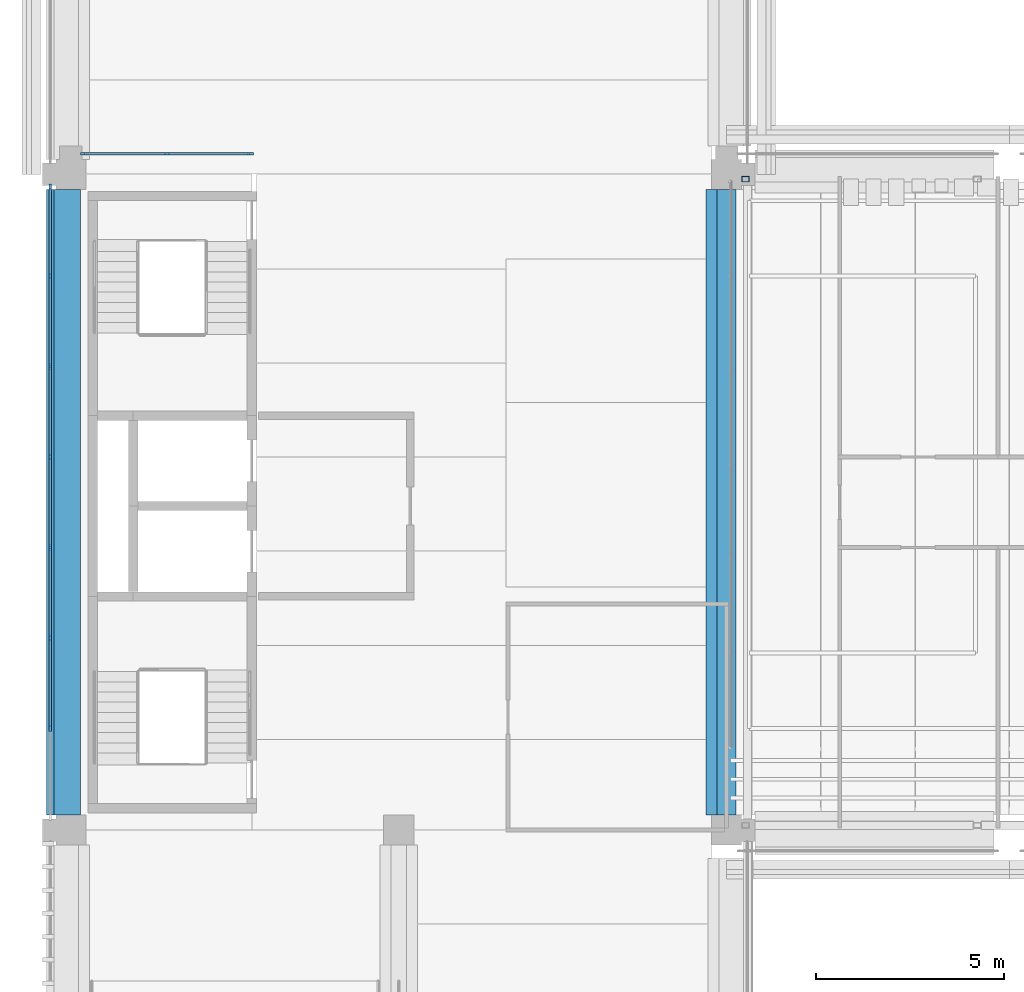
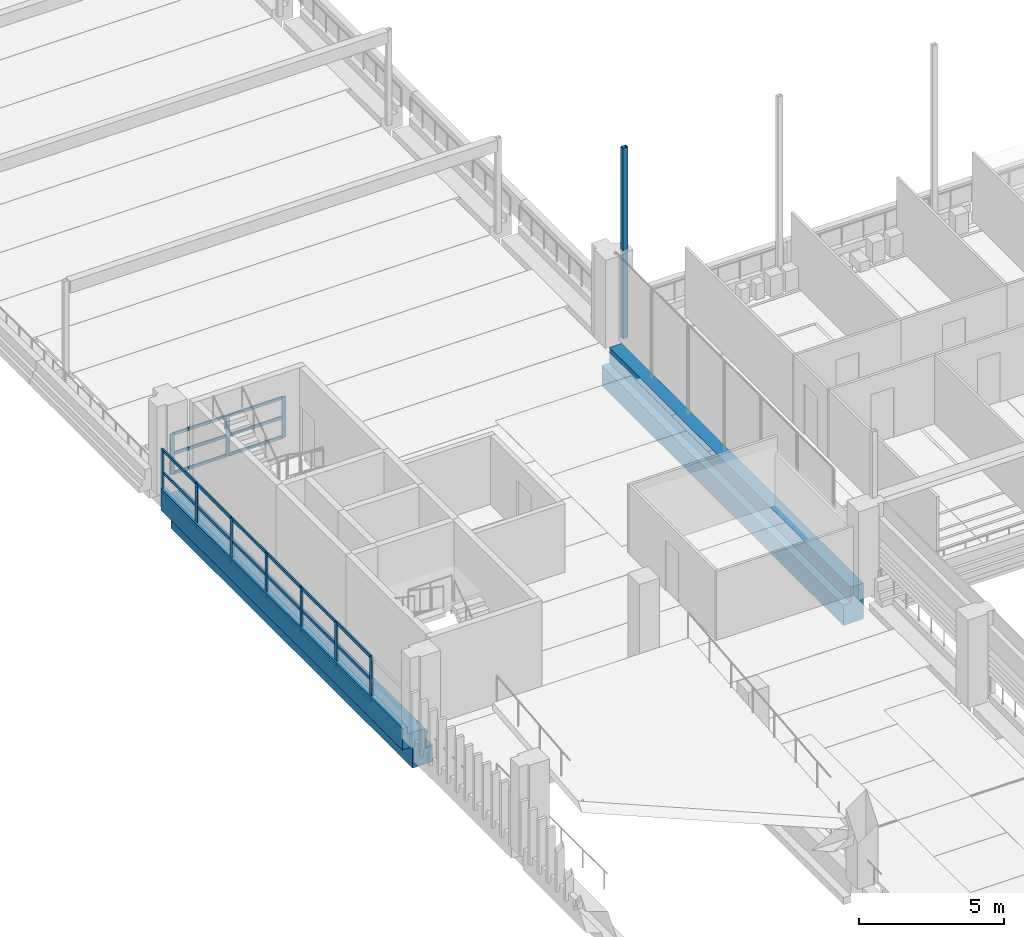
# One storey, part 5 of 62: 35 members, 2 beams, 2 elements without a shape of their own.
"""IFC4 building model written with IfcOpenShell, lengths in metres."""

from ifc_helpers import new_model, si_unit, direction, frame, origin, origin_2d, place, context, subcontext, project, spatial, polyline, rectangle, hollow_rectangle, outline, extrude, material, layer, layer_set, material_profile, profile_set, type_object, element, aggregate, save


model = new_model("IFC4")

# Units and contexts
model_context = context("Model", 3, precision=1e-05, world=origin(), true_north=direction((0.0, 1.0)))
body_context = subcontext(model_context, "Body", "Model", "MODEL_VIEW")
ifc_project = project(units=[si_unit("LENGTHUNIT", "METRE"), si_unit("AREAUNIT", "SQUARE_METRE"), si_unit("VOLUMEUNIT", "CUBIC_METRE"), si_unit("PLANEANGLEUNIT", "RADIAN"), si_unit("MASSUNIT", "GRAM", prefix="KILO")], contexts=[model_context])

# Site, building, storey
site_placement = place(None, origin())
site = spatial("IfcSite", under=ifc_project, at=site_placement, CompositionType="ELEMENT")
building_placement = place(site_placement, origin())
building = spatial("IfcBuilding", under=site, at=building_placement, Name="Cour d'Honneur Mobility Palace", CompositionType="ELEMENT")
storey_placement = place(building_placement, frame((0.0, 0.0, 19.300048828125)))
storey = spatial("IfcBuildingStorey", under=building, at=storey_placement, Name="L05", CompositionType="ELEMENT", Elevation=19.300048828125)

# Curtain wall, members
ifc_material_1 = material(Name="Aluminium and glass", Category="aluminium")
ifc_layer = layer(ifc_material_1, 0.10009765625)
ifc_layer_set = layer_set([ifc_layer], Name="Aluminium and glass")
curtain_wall_type = type_object("IfcCurtainWallType", Name="Curtain wall run", PredefinedType="NOTDEFINED", material=ifc_layer_set)
curtain_wall_1_placement = place(storey_placement, origin())
curtain_wall_1 = element("IfcCurtainWall", 1, at=curtain_wall_1_placement, inside=storey, type_object=curtain_wall_type, Name="Curtain wall CW-104", PredefinedType="NOTDEFINED")
ifc_material_2 = material(Name="Aluminium", Category="aluminium")
ifc_material_profile_1 = material_profile(ifc_material_2, rectangle(XDim=0.06005859375, YDim=0.159912109375, at=origin_2d()), Name="Curtain wall mullion")
ifc_profile_set_1 = profile_set([ifc_material_profile_1], Name="Aluminium")
member_type_1 = type_object("IfcMemberType", Name="Curtain wall mullion", PredefinedType="MULLION", material=ifc_profile_set_1)
member_1_placement = place(storey_placement, frame((4.77001953125, 62.949951171875, 0.0), z_axis=(0.0, 0.0, 1.0), x_axis=(0.0, -1.0, 0.0)))
member_1 = element("IfcMember", 2, at=member_1_placement, type_object=member_type_1, Name="CW-104 mullion 1", PredefinedType="MULLION", context=body_context, shape_type="SweptSolid", body=[
    extrude(rectangle(XDim=0.06005859375, YDim=0.159912109375, at=origin_2d()), origin(), (0.0, 0.0, 1.0), 1.699951171875),
])
member_2_placement = place(storey_placement, frame((2.550048828125, 62.949951171875, 0.0), z_axis=(0.0, 0.0, 1.0), x_axis=(0.0, -1.0, 0.0)))
member_2 = element("IfcMember", 3, at=member_2_placement, type_object=member_type_1, Name="CW-104 mullion 2", PredefinedType="MULLION", context=body_context, shape_type="SweptSolid", body=[
    extrude(rectangle(XDim=0.06005859375, YDim=0.159912109375, at=origin_2d()), origin(), (0.0, 0.0, 1.0), 1.699951171875),
])
member_3_placement = place(storey_placement, frame((0.330078125, 62.949951171875, 0.0), z_axis=(0.0, 0.0, 1.0), x_axis=(0.0, -1.0, 0.0)))
member_3 = element("IfcMember", 4, at=member_3_placement, type_object=member_type_1, Name="CW-104 mullion 3", PredefinedType="MULLION", context=body_context, shape_type="SweptSolid", body=[
    extrude(rectangle(XDim=0.06005859375, YDim=0.159912109375, at=origin_2d()), origin(), (0.0, 0.0, 1.0), 1.699951171875),
])

curtain_wall_2_placement = place(storey_placement, origin())
curtain_wall_2 = element("IfcCurtainWall", 5, at=curtain_wall_2_placement, inside=storey, type_object=curtain_wall_type, Name="Curtain wall CW-105", PredefinedType="NOTDEFINED")
member_4_placement = place(storey_placement, frame((-0.550048828125, 62.070068359375, 0.0), z_axis=(0.0, 0.0, 1.0), x_axis=(1.0, 0.0, 0.0)))
member_4 = element("IfcMember", 6, at=member_4_placement, type_object=member_type_1, Name="CW-105 mullion 1", PredefinedType="MULLION", context=body_context, shape_type="SweptSolid", body=[
    extrude(rectangle(XDim=0.06005859375, YDim=0.159912109375, at=origin_2d()), origin(), (0.0, 0.0, 1.0), 1.89990234375),
])
member_5_placement = place(storey_placement, frame((-0.550048828125, 59.699951171875, 0.0), z_axis=(0.0, 0.0, 1.0), x_axis=(1.0, 0.0, 0.0)))
member_5 = element("IfcMember", 7, at=member_5_placement, type_object=member_type_1, Name="CW-105 mullion 2", PredefinedType="MULLION", context=body_context, shape_type="SweptSolid", body=[
    extrude(rectangle(XDim=0.06005859375, YDim=0.159912109375, at=origin_2d()), origin(), (0.0, 0.0, 1.0), 1.89990234375),
])
member_6_placement = place(storey_placement, frame((-0.550048828125, 57.300048828125, 0.0), z_axis=(0.0, 0.0, 1.0), x_axis=(1.0, 0.0, 0.0)))
member_6 = element("IfcMember", 8, at=member_6_placement, type_object=member_type_1, Name="CW-105 mullion 3", PredefinedType="MULLION", context=body_context, shape_type="SweptSolid", body=[
    extrude(rectangle(XDim=0.06005859375, YDim=0.159912109375, at=origin_2d()), origin(), (0.0, 0.0, 1.0), 1.89990234375),
])
member_7_placement = place(storey_placement, frame((-0.550048828125, 54.89990234375, 0.0), z_axis=(0.0, 0.0, 1.0), x_axis=(1.0, 0.0, 0.0)))
member_7 = element("IfcMember", 9, at=member_7_placement, type_object=member_type_1, Name="CW-105 mullion 4", PredefinedType="MULLION", context=body_context, shape_type="SweptSolid", body=[
    extrude(rectangle(XDim=0.06005859375, YDim=0.159912109375, at=origin_2d()), origin(), (0.0, 0.0, 1.0), 1.89990234375),
])
member_8_placement = place(storey_placement, frame((-0.550048828125, 52.5, 0.0), z_axis=(0.0, 0.0, 1.0), x_axis=(1.0, 0.0, 0.0)))
member_8 = element("IfcMember", 10, at=member_8_placement, type_object=member_type_1, Name="CW-105 mullion 5", PredefinedType="MULLION", context=body_context, shape_type="SweptSolid", body=[
    extrude(rectangle(XDim=0.06005859375, YDim=0.159912109375, at=origin_2d()), origin(), (0.0, 0.0, 1.0), 1.89990234375),
])
member_9_placement = place(storey_placement, frame((-0.550048828125, 50.10009765625, 0.0), z_axis=(0.0, 0.0, 1.0), x_axis=(1.0, 0.0, 0.0)))
member_9 = element("IfcMember", 11, at=member_9_placement, type_object=member_type_1, Name="CW-105 mullion 6", PredefinedType="MULLION", context=body_context, shape_type="SweptSolid", body=[
    extrude(rectangle(XDim=0.06005859375, YDim=0.159912109375, at=origin_2d()), origin(), (0.0, 0.0, 1.0), 1.89990234375),
])
member_10_placement = place(storey_placement, frame((-0.550048828125, 47.699951171875, 0.0), z_axis=(0.0, 0.0, 1.0), x_axis=(1.0, 0.0, 0.0)))
member_10 = element("IfcMember", 12, at=member_10_placement, type_object=member_type_1, Name="CW-105 mullion 7", PredefinedType="MULLION", context=body_context, shape_type="SweptSolid", body=[
    extrude(rectangle(XDim=0.06005859375, YDim=0.159912109375, at=origin_2d()), origin(), (0.0, 0.0, 1.0), 1.89990234375),
])

# Member
ifc_material_3 = material(Name="Aluminium", Category="aluminium")
ifc_material_profile_2 = material_profile(ifc_material_3, rectangle(XDim=0.06005859375, YDim=0.1201171875, at=origin_2d()), Name="Curtain wall transom")
ifc_profile_set_2 = profile_set([ifc_material_profile_2], Name="Aluminium")
member_type_2 = type_object("IfcMemberType", Name="Curtain wall transom", PredefinedType="USERDEFINED", material=ifc_profile_set_2)
member_11_placement = place(storey_placement, frame((4.739990234375, 62.949951171875, 0.030029296875), z_axis=(-1.0, 0.0, 0.0), x_axis=(0.0, -1.0, 0.0)))
member_11 = element("IfcMember", 13, at=member_11_placement, type_object=member_type_2, Name="CW-104 transom 1.1", ObjectType="TRANSOM", PredefinedType="USERDEFINED", context=body_context, shape_type="SweptSolid", body=[
    extrude(rectangle(XDim=0.06005859375, YDim=0.1201171875, at=origin_2d()), origin(), (0.0, 0.0, 1.0), 2.159912109375),
])

member_12_placement = place(storey_placement, frame((4.739990234375, 62.949951171875, 0.849853515625), z_axis=(-1.0, 0.0, 0.0), x_axis=(0.0, -1.0, 0.0)))
member_12 = element("IfcMember", 14, at=member_12_placement, type_object=member_type_2, Name="CW-104 transom 1.2", ObjectType="TRANSOM", PredefinedType="USERDEFINED", context=body_context, shape_type="SweptSolid", body=[
    extrude(rectangle(XDim=0.06005859375, YDim=0.1201171875, at=origin_2d()), origin(), (0.0, 0.0, 1.0), 2.159912109375),
])

member_13_placement = place(storey_placement, frame((4.739990234375, 62.949951171875, 1.669921875), z_axis=(-1.0, 0.0, 0.0), x_axis=(0.0, -1.0, 0.0)))
member_13 = element("IfcMember", 15, at=member_13_placement, type_object=member_type_2, Name="CW-104 transom 1.3", ObjectType="TRANSOM", PredefinedType="USERDEFINED", context=body_context, shape_type="SweptSolid", body=[
    extrude(rectangle(XDim=0.06005859375, YDim=0.1201171875, at=origin_2d()), origin(), (0.0, 0.0, 1.0), 2.159912109375),
])

member_14_placement = place(storey_placement, frame((2.52001953125, 62.949951171875, 0.030029296875), z_axis=(-1.0, 0.0, 0.0), x_axis=(0.0, -1.0, 0.0)))
member_14 = element("IfcMember", 16, at=member_14_placement, type_object=member_type_2, Name="CW-104 transom 2.1", ObjectType="TRANSOM", PredefinedType="USERDEFINED", context=body_context, shape_type="SweptSolid", body=[
    extrude(rectangle(XDim=0.06005859375, YDim=0.1201171875, at=origin_2d()), origin(), (0.0, 0.0, 1.0), 2.159912109375),
])

member_15_placement = place(storey_placement, frame((2.52001953125, 62.949951171875, 0.849853515625), z_axis=(-1.0, 0.0, 0.0), x_axis=(0.0, -1.0, 0.0)))
member_15 = element("IfcMember", 17, at=member_15_placement, type_object=member_type_2, Name="CW-104 transom 2.2", ObjectType="TRANSOM", PredefinedType="USERDEFINED", context=body_context, shape_type="SweptSolid", body=[
    extrude(rectangle(XDim=0.06005859375, YDim=0.1201171875, at=origin_2d()), origin(), (0.0, 0.0, 1.0), 2.159912109375),
])

member_16_placement = place(storey_placement, frame((2.52001953125, 62.949951171875, 1.669921875), z_axis=(-1.0, 0.0, 0.0), x_axis=(0.0, -1.0, 0.0)))
member_16 = element("IfcMember", 18, at=member_16_placement, type_object=member_type_2, Name="CW-104 transom 2.3", ObjectType="TRANSOM", PredefinedType="USERDEFINED", context=body_context, shape_type="SweptSolid", body=[
    extrude(rectangle(XDim=0.06005859375, YDim=0.1201171875, at=origin_2d()), origin(), (0.0, 0.0, 1.0), 2.159912109375),
])

aggregate(curtain_wall_1, [member_1, member_2, member_3, member_11, member_12, member_13, member_14, member_15, member_16])

member_17_placement = place(storey_placement, frame((-0.550048828125, 62.0400390625, 0.030029296875), z_axis=(0.0, -1.0, 0.0), x_axis=(1.0, 0.0, 0.0)))
member_17 = element("IfcMember", 19, at=member_17_placement, type_object=member_type_2, Name="CW-105 transom 1.1", ObjectType="TRANSOM", PredefinedType="USERDEFINED", context=body_context, shape_type="SweptSolid", body=[
    extrude(rectangle(XDim=0.06005859375, YDim=0.1201171875, at=origin_2d()), origin(), (0.0, 0.0, 1.0), 2.31005859375),
])

member_18_placement = place(storey_placement, frame((-0.550048828125, 62.0400390625, 0.949951171875), z_axis=(0.0, -1.0, 0.0), x_axis=(1.0, 0.0, 0.0)))
member_18 = element("IfcMember", 20, at=member_18_placement, type_object=member_type_2, Name="CW-105 transom 1.2", ObjectType="TRANSOM", PredefinedType="USERDEFINED", context=body_context, shape_type="SweptSolid", body=[
    extrude(rectangle(XDim=0.06005859375, YDim=0.1201171875, at=origin_2d()), origin(), (0.0, 0.0, 1.0), 2.31005859375),
])

member_19_placement = place(storey_placement, frame((-0.550048828125, 62.0400390625, 1.869873046875), z_axis=(0.0, -1.0, 0.0), x_axis=(1.0, 0.0, 0.0)))
member_19 = element("IfcMember", 21, at=member_19_placement, type_object=member_type_2, Name="CW-105 transom 1.3", ObjectType="TRANSOM", PredefinedType="USERDEFINED", context=body_context, shape_type="SweptSolid", body=[
    extrude(rectangle(XDim=0.06005859375, YDim=0.1201171875, at=origin_2d()), origin(), (0.0, 0.0, 1.0), 2.31005859375),
])

member_20_placement = place(storey_placement, frame((-0.550048828125, 59.669921875, 0.030029296875), z_axis=(0.0, -1.0, 0.0), x_axis=(1.0, 0.0, 0.0)))
member_20 = element("IfcMember", 22, at=member_20_placement, type_object=member_type_2, Name="CW-105 transom 2.1", ObjectType="TRANSOM", PredefinedType="USERDEFINED", context=body_context, shape_type="SweptSolid", body=[
    extrude(rectangle(XDim=0.06005859375, YDim=0.1201171875, at=origin_2d()), origin(), (0.0, 0.0, 1.0), 2.33984375),
])

member_21_placement = place(storey_placement, frame((-0.550048828125, 59.669921875, 0.949951171875), z_axis=(0.0, -1.0, 0.0), x_axis=(1.0, 0.0, 0.0)))
member_21 = element("IfcMember", 23, at=member_21_placement, type_object=member_type_2, Name="CW-105 transom 2.2", ObjectType="TRANSOM", PredefinedType="USERDEFINED", context=body_context, shape_type="SweptSolid", body=[
    extrude(rectangle(XDim=0.06005859375, YDim=0.1201171875, at=origin_2d()), origin(), (0.0, 0.0, 1.0), 2.33984375),
])

member_22_placement = place(storey_placement, frame((-0.550048828125, 59.669921875, 1.869873046875), z_axis=(0.0, -1.0, 0.0), x_axis=(1.0, 0.0, 0.0)))
member_22 = element("IfcMember", 24, at=member_22_placement, type_object=member_type_2, Name="CW-105 transom 2.3", ObjectType="TRANSOM", PredefinedType="USERDEFINED", context=body_context, shape_type="SweptSolid", body=[
    extrude(rectangle(XDim=0.06005859375, YDim=0.1201171875, at=origin_2d()), origin(), (0.0, 0.0, 1.0), 2.33984375),
])

member_23_placement = place(storey_placement, frame((-0.550048828125, 57.27001953125, 0.030029296875), z_axis=(0.0, -1.0, 0.0), x_axis=(1.0, 0.0, 0.0)))
member_23 = element("IfcMember", 25, at=member_23_placement, type_object=member_type_2, Name="CW-105 transom 3.1", ObjectType="TRANSOM", PredefinedType="USERDEFINED", context=body_context, shape_type="SweptSolid", body=[
    extrude(rectangle(XDim=0.06005859375, YDim=0.1201171875, at=origin_2d()), origin(), (0.0, 0.0, 1.0), 2.340087890625),
])

member_24_placement = place(storey_placement, frame((-0.550048828125, 57.27001953125, 0.949951171875), z_axis=(0.0, -1.0, 0.0), x_axis=(1.0, 0.0, 0.0)))
member_24 = element("IfcMember", 26, at=member_24_placement, type_object=member_type_2, Name="CW-105 transom 3.2", ObjectType="TRANSOM", PredefinedType="USERDEFINED", context=body_context, shape_type="SweptSolid", body=[
    extrude(rectangle(XDim=0.06005859375, YDim=0.1201171875, at=origin_2d()), origin(), (0.0, 0.0, 1.0), 2.340087890625),
])

member_25_placement = place(storey_placement, frame((-0.550048828125, 57.27001953125, 1.869873046875), z_axis=(0.0, -1.0, 0.0), x_axis=(1.0, 0.0, 0.0)))
member_25 = element("IfcMember", 27, at=member_25_placement, type_object=member_type_2, Name="CW-105 transom 3.3", ObjectType="TRANSOM", PredefinedType="USERDEFINED", context=body_context, shape_type="SweptSolid", body=[
    extrude(rectangle(XDim=0.06005859375, YDim=0.1201171875, at=origin_2d()), origin(), (0.0, 0.0, 1.0), 2.340087890625),
])

member_26_placement = place(storey_placement, frame((-0.550048828125, 54.8701171875, 0.030029296875), z_axis=(0.0, -1.0, 0.0), x_axis=(1.0, 0.0, 0.0)))
member_26 = element("IfcMember", 28, at=member_26_placement, type_object=member_type_2, Name="CW-105 transom 4.1", ObjectType="TRANSOM", PredefinedType="USERDEFINED", context=body_context, shape_type="SweptSolid", body=[
    extrude(rectangle(XDim=0.06005859375, YDim=0.1201171875, at=origin_2d()), origin(), (0.0, 0.0, 1.0), 2.340087890625),
])

member_27_placement = place(storey_placement, frame((-0.550048828125, 54.8701171875, 0.949951171875), z_axis=(0.0, -1.0, 0.0), x_axis=(1.0, 0.0, 0.0)))
member_27 = element("IfcMember", 29, at=member_27_placement, type_object=member_type_2, Name="CW-105 transom 4.2", ObjectType="TRANSOM", PredefinedType="USERDEFINED", context=body_context, shape_type="SweptSolid", body=[
    extrude(rectangle(XDim=0.06005859375, YDim=0.1201171875, at=origin_2d()), origin(), (0.0, 0.0, 1.0), 2.340087890625),
])

member_28_placement = place(storey_placement, frame((-0.550048828125, 54.8701171875, 1.869873046875), z_axis=(0.0, -1.0, 0.0), x_axis=(1.0, 0.0, 0.0)))
member_28 = element("IfcMember", 30, at=member_28_placement, type_object=member_type_2, Name="CW-105 transom 4.3", ObjectType="TRANSOM", PredefinedType="USERDEFINED", context=body_context, shape_type="SweptSolid", body=[
    extrude(rectangle(XDim=0.06005859375, YDim=0.1201171875, at=origin_2d()), origin(), (0.0, 0.0, 1.0), 2.340087890625),
])

member_29_placement = place(storey_placement, frame((-0.550048828125, 52.469970703125, 0.030029296875), z_axis=(0.0, -1.0, 0.0), x_axis=(1.0, 0.0, 0.0)))
member_29 = element("IfcMember", 31, at=member_29_placement, type_object=member_type_2, Name="CW-105 transom 5.1", ObjectType="TRANSOM", PredefinedType="USERDEFINED", context=body_context, shape_type="SweptSolid", body=[
    extrude(rectangle(XDim=0.06005859375, YDim=0.1201171875, at=origin_2d()), origin(), (0.0, 0.0, 1.0), 2.340087890625),
])

member_30_placement = place(storey_placement, frame((-0.550048828125, 52.469970703125, 0.949951171875), z_axis=(0.0, -1.0, 0.0), x_axis=(1.0, 0.0, 0.0)))
member_30 = element("IfcMember", 32, at=member_30_placement, type_object=member_type_2, Name="CW-105 transom 5.2", ObjectType="TRANSOM", PredefinedType="USERDEFINED", context=body_context, shape_type="SweptSolid", body=[
    extrude(rectangle(XDim=0.06005859375, YDim=0.1201171875, at=origin_2d()), origin(), (0.0, 0.0, 1.0), 2.340087890625),
])

member_31_placement = place(storey_placement, frame((-0.550048828125, 52.469970703125, 1.869873046875), z_axis=(0.0, -1.0, 0.0), x_axis=(1.0, 0.0, 0.0)))
member_31 = element("IfcMember", 33, at=member_31_placement, type_object=member_type_2, Name="CW-105 transom 5.3", ObjectType="TRANSOM", PredefinedType="USERDEFINED", context=body_context, shape_type="SweptSolid", body=[
    extrude(rectangle(XDim=0.06005859375, YDim=0.1201171875, at=origin_2d()), origin(), (0.0, 0.0, 1.0), 2.340087890625),
])

member_32_placement = place(storey_placement, frame((-0.550048828125, 50.070068359375, 0.030029296875), z_axis=(0.0, -1.0, 0.0), x_axis=(1.0, 0.0, 0.0)))
member_32 = element("IfcMember", 34, at=member_32_placement, type_object=member_type_2, Name="CW-105 transom 6.1", ObjectType="TRANSOM", PredefinedType="USERDEFINED", context=body_context, shape_type="SweptSolid", body=[
    extrude(rectangle(XDim=0.06005859375, YDim=0.1201171875, at=origin_2d()), origin(), (0.0, 0.0, 1.0), 2.340087890625),
])

member_33_placement = place(storey_placement, frame((-0.550048828125, 50.070068359375, 0.949951171875), z_axis=(0.0, -1.0, 0.0), x_axis=(1.0, 0.0, 0.0)))
member_33 = element("IfcMember", 35, at=member_33_placement, type_object=member_type_2, Name="CW-105 transom 6.2", ObjectType="TRANSOM", PredefinedType="USERDEFINED", context=body_context, shape_type="SweptSolid", body=[
    extrude(rectangle(XDim=0.06005859375, YDim=0.1201171875, at=origin_2d()), origin(), (0.0, 0.0, 1.0), 2.340087890625),
])

member_34_placement = place(storey_placement, frame((-0.550048828125, 50.070068359375, 1.869873046875), z_axis=(0.0, -1.0, 0.0), x_axis=(1.0, 0.0, 0.0)))
member_34 = element("IfcMember", 36, at=member_34_placement, type_object=member_type_2, Name="CW-105 transom 6.3", ObjectType="TRANSOM", PredefinedType="USERDEFINED", context=body_context, shape_type="SweptSolid", body=[
    extrude(rectangle(XDim=0.06005859375, YDim=0.1201171875, at=origin_2d()), origin(), (0.0, 0.0, 1.0), 2.340087890625),
])

aggregate(curtain_wall_2, [member_4, member_5, member_6, member_7, member_8, member_9, member_10, member_17, member_18, member_19, member_20, member_21, member_22, member_23, member_24, member_25, member_26, member_27, member_28, member_29, member_30, member_31, member_32, member_33, member_34])

# Beams
ifc_material_4 = material(Name="Concrete C45", Category="concrete")
ifc_material_profile_3 = material_profile(ifc_material_4, outline(polyline([(0.550048828125, -1.5), (0.550048828125, -0.64990234375), (0.25, -0.64990234375), (0.25, 0.0), (-0.25, 0.0), (-0.25, -1.5), (0.550048828125, -1.5)])), Name="Ledger Beam 500x1500 ledge left 850 plain")
ifc_profile_set_3 = profile_set([ifc_material_profile_3], Name="Concrete C45")
beam_type_1 = type_object("IfcBeamType", Name="Ledger Beam 500x1500 ledge left 850 plain", PredefinedType="BEAM", material=ifc_profile_set_3)
beam_1_placement = place(storey_placement, frame((17.39990234375, 45.39990234375, 0.0), z_axis=(0.0, 1.0, 0.0), x_axis=(-1.0, 0.0, 0.0)))
element("IfcBeam", 37, at=beam_1_placement, inside=storey, type_object=beam_type_1, Name="Precast beam B13 G-H L05", PredefinedType="BEAM", context=body_context, shape_type="SweptSolid", body=[
    extrude(outline(polyline([(0.550048828125, -1.5), (0.550048828125, -0.64990234375), (0.25, -0.64990234375), (0.25, 0.0), (-0.25, 0.0), (-0.25, -1.5), (0.550048828125, -1.5)])), origin(), (0.0, 0.0, 1.0), 16.60009765625),
])
ifc_material_5 = material(Name="Concrete C45", Category="concrete")
ifc_material_profile_4 = material_profile(ifc_material_5, outline(polyline([(0.25, -1.5), (0.25, -0.60009765625), (0.64990234375, -0.60009765625), (0.64990234375, 0.300048828125), (0.449951171875, 0.300048828125), (0.449951171875, 0.0), (0.25, 0.0), (-0.25, 0.0), (-0.25, -0.800048828125), (-0.550048828125, -0.800048828125), (-0.550048828125, -1.5), (0.25, -1.5)])), Name="Ledger Beam 500x1500 ledge right 700 facade left")
ifc_profile_set_4 = profile_set([ifc_material_profile_4], Name="Concrete C45")
beam_type_2 = type_object("IfcBeamType", Name="Ledger Beam 500x1500 ledge right 700 facade left", PredefinedType="BEAM", material=ifc_profile_set_4)
beam_2_placement = place(storey_placement, frame((0.0, 45.39990234375, 0.0), z_axis=(0.0, 1.0, 0.0), x_axis=(-1.0, 0.0, 0.0)))
element("IfcBeam", 38, at=beam_2_placement, inside=storey, type_object=beam_type_2, Name="Precast beam B8 G-H L05", PredefinedType="BEAM", context=body_context, shape_type="SweptSolid", body=[
    extrude(outline(polyline([(0.25, -1.5), (0.25, -0.60009765625), (0.64990234375, -0.60009765625), (0.64990234375, 0.300048828125), (0.449951171875, 0.300048828125), (0.449951171875, 0.0), (0.25, 0.0), (-0.25, 0.0), (-0.25, -0.800048828125), (-0.550048828125, -0.800048828125), (-0.550048828125, -1.5), (0.25, -1.5)])), origin(), (0.0, 0.0, 1.0), 16.60009765625),
])

# Member
ifc_material_6 = material(Name="Steel S355", Category="steel")
ifc_material_profile_5 = material_profile(ifc_material_6, hollow_rectangle(XDim=0.14990234375, YDim=0.199951171875, WallThickness=0.008056640625, at=origin_2d()), Name="RHS 200x150x8")
ifc_profile_set_5 = profile_set([ifc_material_profile_5], Name="Steel S355")
member_type_3 = type_object("IfcMemberType", Name="Pergola post RHS 200x150x8", PredefinedType="POST", material=ifc_profile_set_5)
member_35_placement = place(storey_placement, frame((17.89990234375, 62.27490234375, 0.0), z_axis=(0.0, 0.0, 1.0), x_axis=(0.0, 1.0, 0.0)))
element("IfcMember", 39, at=member_35_placement, inside=storey, type_object=member_type_3, Name="Pergola post FW-N1", PredefinedType="POST", context=body_context, shape_type="SweptSolid", body=[
    extrude(hollow_rectangle(XDim=0.14990234375, YDim=0.199951171875, WallThickness=0.008056640625, at=origin_2d()), origin(), (0.0, 0.0, 1.0), 8.0),
])

save(model, "model.ifc")
